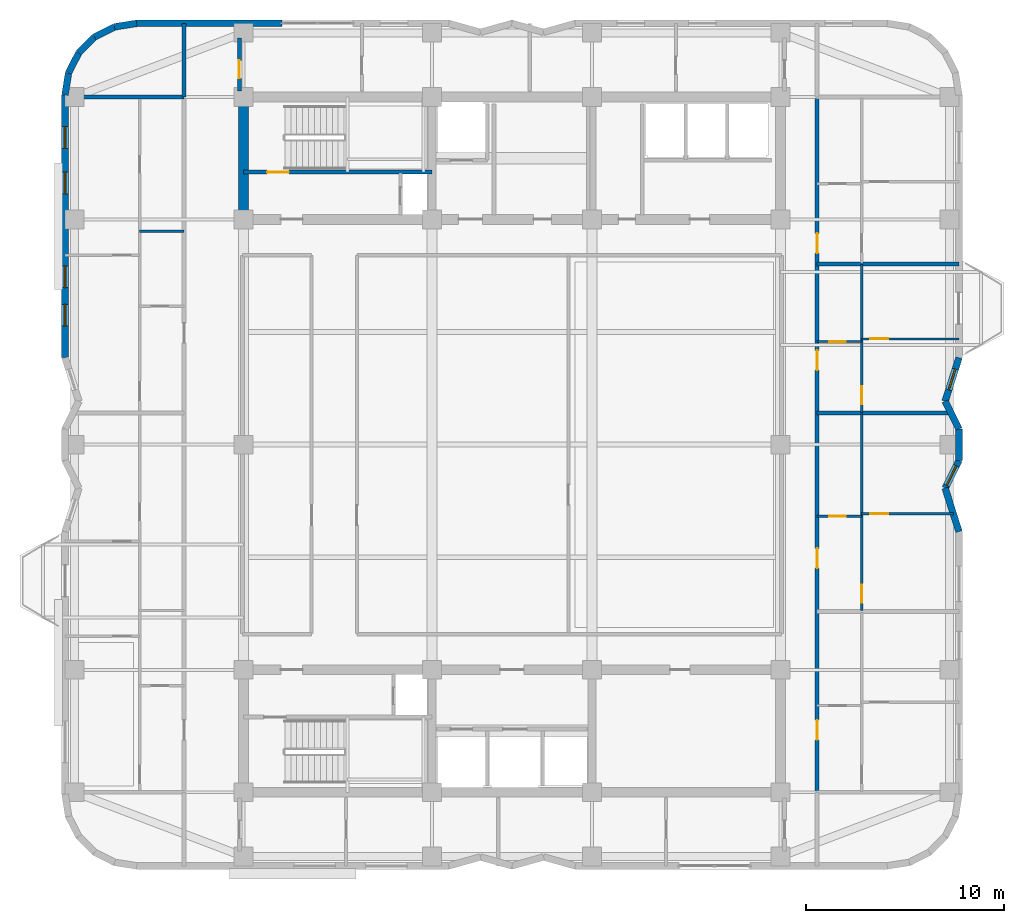
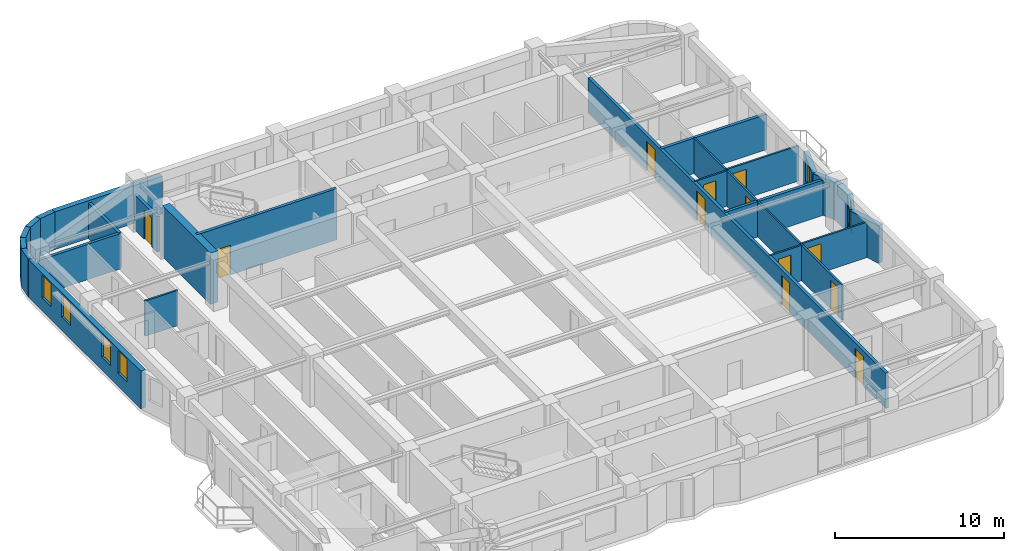
# One storey, part 7 of 12: 27 walls, 12 doors, 6 windows, 18 openings.
"""IFC4 building model written with IfcOpenShell, lengths in metres."""

import ifcopenshell
import ifcopenshell.guid

model = None  # the IFC model being written
_history = None  # IfcOwnerHistory: only IFC2X3 demands one
_inside = {}  # id of a spatial element -> (the spatial element, [elements in it])
_under = {}  # id of a project, library or spatial element -> (it, [spatial elements below it])
_declared = {}  # id of a project -> (the project, [libraries it declares])
_typed = {}  # id of a type object -> (the type object, [elements of that type])
_made_of = {}  # id of a material, layer set ... -> (it, [elements and type objects made of it])


def new_model(schema):
    """Start an empty IFC model of exactly this schema.

    Asked for "IFC4X3", IfcOpenShell would pick the latest addendum, in which some entities
    have other attributes; the version numbers below select the first issue.
    IFC2X3 requires an IfcOwnerHistory on every rooted entity: one is made here for all.
    """
    global model, _history
    if schema == "IFC4X3":
        model = ifcopenshell.file(schema_version=(4, 3, 0, 0))
    else:
        model = ifcopenshell.file(schema=schema)
    _inside.clear()
    _under.clear()
    _declared.clear()
    _typed.clear()
    _made_of.clear()
    _history = None
    if model.schema == "IFC2X3":
        org = make("IfcOrganization", Name="unknown")
        user = make(
            "IfcPersonAndOrganization",
            ThePerson=make("IfcPerson", FamilyName="unknown"),
            TheOrganization=org,
        )
        app = make(
            "IfcApplication",
            ApplicationDeveloper=org,
            Version="unknown",
            ApplicationFullName="unknown",
            ApplicationIdentifier="unknown",
        )
        _history = make(
            "IfcOwnerHistory",
            OwningUser=user,
            OwningApplication=app,
            ChangeAction="ADDED",
            CreationDate=0,
        )
    return model


def make(cls, **values):
    """One entity of the class cls with the attributes given. An attribute that is None is left unset."""
    return model.create_entity(
        cls, **{name: value for name, value in values.items() if value is not None}
    )


def rooted(cls, **values):
    """An entity with a GlobalId (a new one), such as an element, a storey or a relation."""
    return make(cls, GlobalId=ifcopenshell.guid.new(), OwnerHistory=_history, **values)


def si_unit(unit_type, name, prefix=None):
    """IfcSIUnit, for example si_unit("LENGTHUNIT", "METRE", prefix="MILLI")."""
    return make("IfcSIUnit", UnitType=unit_type, Prefix=prefix, Name=name)


def assignment(units):
    """IfcUnitAssignment: the units of a project."""
    return None if units is None else make("IfcUnitAssignment", Units=units)


def point(xyz):
    """IfcCartesianPoint."""
    return None if xyz is None else make("IfcCartesianPoint", Coordinates=xyz)


def direction(xyz):
    """IfcDirection."""
    return None if xyz is None else make("IfcDirection", DirectionRatios=xyz)


def frame(location, z_axis=None, x_axis=None):
    """IfcAxis2Placement3D, a coordinate frame: its origin and axes. An axis left out is left unset."""
    return make(
        "IfcAxis2Placement3D",
        Location=point(location),
        Axis=direction(z_axis),
        RefDirection=direction(x_axis),
    )


def frame_2d(location, x_axis=None):
    """IfcAxis2Placement2D, a coordinate frame in the plane: its origin and x axis."""
    return make(
        "IfcAxis2Placement2D", Location=point(location), RefDirection=direction(x_axis)
    )


def origin():
    """The frame at (0, 0, 0) with its axes left unset."""
    return frame((0.0, 0.0, 0.0))


def place(relative_to, where):
    """IfcLocalPlacement: puts the frame where relative to a parent placement (None: the world)."""
    return make(
        "IfcLocalPlacement", PlacementRelTo=relative_to, RelativePlacement=where
    )


def context(
    kind, dimensions, precision=None, world=None, true_north=None, identifier=None
):
    """IfcGeometricRepresentationContext, for example the 3D "Model" context."""
    return make(
        "IfcGeometricRepresentationContext",
        ContextIdentifier=identifier,
        ContextType=kind,
        CoordinateSpaceDimension=dimensions,
        Precision=precision,
        WorldCoordinateSystem=world,
        TrueNorth=true_north,
    )


def subcontext(parent, identifier, kind, view, scale=None):
    """IfcGeometricRepresentationSubContext, for example "Body" below "Model"."""
    return make(
        "IfcGeometricRepresentationSubContext",
        ContextIdentifier=identifier,
        ContextType=kind,
        ParentContext=parent,
        TargetScale=scale,
        TargetView=view,
    )


def project(units=None, contexts=None):
    """IfcProject with its units and contexts."""
    return rooted(
        "IfcProject",
        Name="project",
        RepresentationContexts=contexts,
        UnitsInContext=assignment(units),
    )


def spatial(cls, under=None, at=None, **own):
    """A site, building, storey or space (cls), placed at a placement, below another one or the project."""
    s = rooted(cls, ObjectPlacement=at, **own)
    if under is not None:
        _under.setdefault(under.id(), (under, []))[1].append(s)
    return s


def profile(cls, at=None, kind="AREA", **sizes):
    """A parametric profile (cls). Its sizes go by their IFC names, for example OverallWidth=200.0."""
    return make(cls, ProfileType=kind, Position=at, **sizes)


def rectangle(**sizes):
    """IfcRectangleProfileDef."""
    return profile("IfcRectangleProfileDef", **sizes)


def extrude(swept, where, along, depth):
    """IfcExtrudedAreaSolid: the profile swept, set in the frame where, extruded along a direction by depth."""
    return make(
        "IfcExtrudedAreaSolid",
        SweptArea=swept,
        Position=where,
        ExtrudedDirection=direction(along),
        Depth=depth,
    )


def shape(context_of_items, identifier, shape_type, items):
    """IfcShapeRepresentation: the items that make up one representation, for example the "Body"."""
    return make(
        "IfcShapeRepresentation",
        ContextOfItems=context_of_items,
        RepresentationIdentifier=identifier,
        RepresentationType=shape_type,
        Items=items,
    )


def material(Name=None, Category=None):
    """IfcMaterial."""
    return make("IfcMaterial", Name=Name, Category=Category)


def layer(
    of_material, thickness, ventilated=None, Name=None, Category=None, Priority=None
):
    """IfcMaterialLayer: one layer of a wall or slab, of a material (None: an air gap)."""
    return make(
        "IfcMaterialLayer",
        Material=of_material,
        LayerThickness=thickness,
        IsVentilated=ventilated,
        Name=Name,
        Category=Category,
        Priority=Priority,
    )


def layer_set(layers, Name=None):
    """IfcMaterialLayerSet."""
    return make("IfcMaterialLayerSet", MaterialLayers=layers, LayerSetName=Name)


def made_of(thing, what):
    """Note that an element or type object is made of a material, layer set ...; save() writes the relation."""
    if what is not None:
        _made_of.setdefault(what.id(), (what, []))[1].append(thing)
    return thing


def type_object(cls, material=None, **own):
    """A type object (cls), such as IfcWallType, which elements share."""
    return made_of(rooted(cls, **own), material)


def element(
    cls,
    number,
    at=None,
    inside=None,
    cuts=None,
    type_object=None,
    material=None,
    context=None,
    identifier="Body",
    shape_type=None,
    held_by="IfcProductDefinitionShape",
    body=None,
    shapes=None,
    **own,
):
    """One element of the class cls, such as IfcWall. Its Tag is "e" and its number.

    at: its placement. inside: the storey or other place that contains it. cuts: it is an
    opening in that element (IfcRelVoidsElement). A single representation is given by context,
    identifier, shape_type and body (its items); several are given by shapes. held_by: the class
    of the entity that holds the representations. save() writes the other relations.
    """
    e = rooted(cls, Tag="e%d" % number, ObjectPlacement=at, **own)
    if body is not None:
        shapes = [shape(context, identifier, shape_type, body)]
    if shapes is not None:
        e.Representation = make(held_by, Representations=shapes)
    if inside is not None:
        _inside.setdefault(inside.id(), (inside, []))[1].append(e)
    if cuts is not None:
        rooted(
            "IfcRelVoidsElement", RelatingBuildingElement=cuts, RelatedOpeningElement=e
        )
    if type_object is not None:
        _typed.setdefault(type_object.id(), (type_object, []))[1].append(e)
    return made_of(e, material)


def fill(opening, filler):
    """IfcRelFillsElement: the door or window that sits in an opening."""
    return rooted(
        "IfcRelFillsElement",
        RelatingOpeningElement=opening,
        RelatedBuildingElement=filler,
    )


def aggregate(whole, parts):
    """IfcRelAggregates: a whole, such as a stair, and the parts it consists of."""
    return rooted("IfcRelAggregates", RelatingObject=whole, RelatedObjects=parts)


def save(model, path):
    """Write the relations noted so far, then the file.

    IfcRelAggregates (storeys below a building ...), IfcRelContainedInSpatialStructure (elements
    in a storey), IfcRelDefinesByType, IfcRelAssociatesMaterial and IfcRelDeclares: one each for
    every whole, place, type object, material and project.
    """
    for whole, parts in _under.values():
        aggregate(whole, parts)
    for where, things in _inside.values():
        rooted(
            "IfcRelContainedInSpatialStructure",
            RelatedElements=things,
            RelatingStructure=where,
        )
    for kind, things in _typed.values():
        rooted("IfcRelDefinesByType", RelatedObjects=things, RelatingType=kind)
    for what, things in _made_of.values():
        rooted("IfcRelAssociatesMaterial", RelatedObjects=things, RelatingMaterial=what)
    for by, libraries in _declared.values():
        rooted("IfcRelDeclares", RelatingContext=by, RelatedDefinitions=libraries)
    model.write(path)


model = new_model("IFC4")

# Units and contexts
model_context = context("Model", 3, precision=1e-05, world=origin(), true_north=direction((0.0, 1.0)))
body_context = subcontext(model_context, "Body", "Model", "MODEL_VIEW")
ifc_project = project(units=[si_unit("LENGTHUNIT", "METRE"), si_unit("AREAUNIT", "SQUARE_METRE"), si_unit("VOLUMEUNIT", "CUBIC_METRE"), si_unit("PLANEANGLEUNIT", "RADIAN"), si_unit("MASSUNIT", "GRAM", prefix="KILO")], contexts=[model_context])

# Site, building, storey
site_placement = place(None, origin())
site = spatial("IfcSite", under=ifc_project, at=site_placement, CompositionType="ELEMENT")
building_placement = place(site_placement, origin())
building = spatial("IfcBuilding", under=site, at=building_placement, Name="Svetorya Sky Lyceum", CompositionType="ELEMENT")
storey_placement = place(building_placement, frame((0.0, 0.0, 177.39990234375)))
storey = spatial("IfcBuildingStorey", under=building, at=storey_placement, Name="L44", CompositionType="ELEMENT", Elevation=177.39990234375)

# Walls
ifc_material_1 = material(Name="Concrete C50/60", Category="concrete")
ifc_layer_1 = layer(ifc_material_1, 0.5)
ifc_layer_set_1 = layer_set([ifc_layer_1], Name="Concrete C50/60")
wall_type_1 = type_object("IfcWallType", Name="WL-CORE-500", PredefinedType="SHEAR", material=ifc_layer_set_1)
wall_1_placement = place(storey_placement, frame((25.60009765625, 39.85009765625, 0.0), z_axis=(0.0, 0.0, 1.0), x_axis=(0.0, 1.0, 0.0)))
element("IfcWall", 1, at=wall_1_placement, inside=storey, type_object=wall_type_1, Name="L44 NC West Core Shear Wall", PredefinedType="SHEAR", context=body_context, shape_type="SweptSolid", body=[
    extrude(rectangle(XDim=5.699951171875, YDim=0.5, at=frame_2d((2.85009765625, 0.0))), origin(), (0.0, 0.0, 1.0), 3.7001953125),
])
ifc_material_2 = material(Name="Putilovo limestone rainscreen on autoclaved cellular masonry", Category="masonry")
ifc_layer_2 = layer(ifc_material_2, 0.340087890625)
ifc_layer_set_2 = layer_set([ifc_layer_2], Name="Putilovo limestone rainscreen on autoclaved cellular masonry")
wall_type_2 = type_object("IfcWallType", Name="WL-EXT-340", PredefinedType="SOLIDWALL", material=ifc_layer_set_2)
wall_2_placement = place(storey_placement, frame((61.830078125, 23.800048828125, 0.0), z_axis=(0.0, 0.0, 1.0), x_axis=(-0.303286588318, 0.95289938889, 0.0)))
element("IfcWall", 2, at=wall_2_placement, inside=storey, type_object=wall_type_2, Name="L44 Limestone Exterior Wall 18M", PredefinedType="SOLIDWALL", context=body_context, shape_type="SweptSolid", body=[
    extrude(rectangle(XDim=2.30859375, YDim=0.340087890625, at=frame_2d((1.154296875, 0.0))), origin(), (0.0, 0.0, 1.0), 2.72021484375),
])

# Wall, opening, window
wall_3_placement = place(storey_placement, frame((61.1298828125, 26.0, 0.0), z_axis=(0.0, 0.0, 1.0), x_axis=(0.447338371726, 0.894364792007, 0.0)))
wall_3 = element("IfcWall", 3, at=wall_3_placement, inside=storey, type_object=wall_type_2, Name="L44 Limestone Exterior Wall 19M", PredefinedType="SOLIDWALL", context=body_context, shape_type="SweptSolid", body=[
    extrude(rectangle(XDim=1.565185546875, YDim=0.340087890625, at=frame_2d((0.78271484375, 0.0))), origin(), (0.0, 0.0, 1.0), 2.72021484375),
])
opening_1_placement = place(wall_3_placement, frame((0.159912109375, 0.0, 0.909912109375)))
opening_1 = element("IfcOpeningElement", 4, at=opening_1_placement, cuts=wall_3, Name="Opening W-R3", PredefinedType="OPENING", context=body_context, shape_type="SweptSolid", body=[
    extrude(rectangle(XDim=1.10009765625, YDim=1.64990234375, at=frame_2d((0.550048828125, 0.824951171875))), frame((0.0, 0.179931640625, 0.0), z_axis=(0.0, -1.0, 0.0), x_axis=(1.0, 0.0, 0.0)), (0.0, 0.0, 1.0), 0.360107421875),
])
ifc_material_3 = material(Name="Thermally broken aluminium frame with triple low-E glazing", Category="aluminium")
window_type = type_object("IfcWindowType", Name="WN-RES-110", PartitioningType="SINGLE_PANEL", PredefinedType="WINDOW", material=ifc_material_3)
window_1_placement = place(opening_1_placement, origin())
window_1 = element("IfcWindow", 5, at=window_1_placement, inside=storey, type_object=window_type, Name="L44 Facade Window W-R3.19M.1", OverallHeight=1.64990234375, OverallWidth=1.10009765625, PartitioningType="SINGLE_PANEL", PredefinedType="WINDOW", context=body_context, shape_type="SweptSolid", body=[
    extrude(rectangle(XDim=1.10009765625, YDim=1.64990234375, at=frame_2d((0.550048828125, 0.824951171875))), frame((0.0, 0.030029296875, 0.0), z_axis=(0.0, -1.0, 0.0), x_axis=(1.0, 0.0, 0.0)), (0.0, 0.0, 1.0), 0.06005859375),
])
fill(opening_1, window_1)

# Walls
wall_4_placement = place(storey_placement, frame((61.830078125, 27.39990234375, 0.0), z_axis=(0.0, 0.0, 1.0), x_axis=(0.0, 1.0, 0.0)))
element("IfcWall", 6, at=wall_4_placement, inside=storey, type_object=wall_type_2, Name="L44 Limestone Exterior Wall 20M", PredefinedType="SOLIDWALL", context=body_context, shape_type="SweptSolid", body=[
    extrude(rectangle(XDim=1.60009765625, YDim=0.340087890625, at=frame_2d((0.800048828125, 0.0))), origin(), (0.0, 0.0, 1.0), 2.72021484375),
])
wall_5_placement = place(storey_placement, frame((61.830078125, 29.0, 0.0), z_axis=(0.0, 0.0, 1.0), x_axis=(-0.447338371726, 0.894364792007, 0.0)))
element("IfcWall", 7, at=wall_5_placement, inside=storey, type_object=wall_type_2, Name="L44 Limestone Exterior Wall 21M", PredefinedType="SOLIDWALL", context=body_context, shape_type="SweptSolid", body=[
    extrude(rectangle(XDim=1.565185546875, YDim=0.340087890625, at=frame_2d((0.78271484375, 0.0))), origin(), (0.0, 0.0, 1.0), 2.72021484375),
])

# Wall, opening, window
wall_6_placement = place(storey_placement, frame((61.1298828125, 30.39990234375, 0.0), z_axis=(0.0, 0.0, 1.0), x_axis=(0.303256029766, 0.952909114454, 0.0)))
wall_6 = element("IfcWall", 8, at=wall_6_placement, inside=storey, type_object=wall_type_2, Name="L44 Limestone Exterior Wall 22M", PredefinedType="SOLIDWALL", context=body_context, shape_type="SweptSolid", body=[
    extrude(rectangle(XDim=2.308837890625, YDim=0.340087890625, at=frame_2d((1.154296875, 0.0))), origin(), (0.0, 0.0, 1.0), 2.72021484375),
])
opening_2_placement = place(wall_6_placement, frame((0.604248046875, 0.0, 0.909912109375)))
opening_2 = element("IfcOpeningElement", 9, at=opening_2_placement, cuts=wall_6, Name="Opening W-R3", PredefinedType="OPENING", context=body_context, shape_type="SweptSolid", body=[
    extrude(rectangle(XDim=1.10009765625, YDim=1.64990234375, at=frame_2d((0.550048828125, 0.824951171875))), frame((0.0, 0.179931640625, 0.0), z_axis=(0.0, -1.0, 0.0), x_axis=(1.0, 0.0, 0.0)), (0.0, 0.0, 1.0), 0.360107421875),
])
window_2_placement = place(opening_2_placement, origin())
window_2 = element("IfcWindow", 10, at=window_2_placement, inside=storey, type_object=window_type, Name="L44 Facade Window W-R3.22M.1", OverallHeight=1.64990234375, OverallWidth=1.10009765625, PartitioningType="SINGLE_PANEL", PredefinedType="WINDOW", context=body_context, shape_type="SweptSolid", body=[
    extrude(rectangle(XDim=1.10009765625, YDim=1.64990234375, at=frame_2d((0.550048828125, 0.824951171875))), frame((0.0, 0.030029296875, 0.0), z_axis=(0.0, -1.0, 0.0), x_axis=(1.0, 0.0, 0.0)), (0.0, 0.0, 1.0), 0.06005859375),
])
fill(opening_2, window_2)

# Walls
wall_7_placement = place(storey_placement, frame((27.550048828125, 49.530029296875, 0.0), z_axis=(0.0, 0.0, 1.0), x_axis=(-1.0, 0.0, 0.0)))
element("IfcWall", 11, at=wall_7_placement, inside=storey, type_object=wall_type_2, Name="L44 Limestone Exterior Wall 34B", PredefinedType="SOLIDWALL", context=body_context, shape_type="SweptSolid", body=[
    extrude(rectangle(XDim=7.35009765625, YDim=0.340087890625, at=frame_2d((3.675048828125, 0.0))), origin(), (0.0, 0.0, 1.0), 2.72021484375),
])
wall_8_placement = place(storey_placement, frame((20.199951171875, 49.530029296875, 0.0), z_axis=(0.0, 0.0, 1.0), x_axis=(-0.987675651954, -0.156514556949, 0.0)))
element("IfcWall", 12, at=wall_8_placement, inside=storey, type_object=wall_type_2, Name="L44 Limestone Exterior Wall 35M", PredefinedType="SOLIDWALL", context=body_context, shape_type="SweptSolid", body=[
    extrude(rectangle(XDim=1.135498046875, YDim=0.340087890625, at=frame_2d((0.56787109375, 0.0))), origin(), (0.0, 0.0, 1.0), 2.72021484375),
])
for number, where, z_axis, x_axis, name in (
    (13, (19.078369140625, 49.352294921875, 0.0), (0.0, 0.0, 1.0), (-0.891005044957, -0.453993402883, 0.0), "L44 Limestone Exterior Wall 36M"),
    (14, (18.06640625, 48.836669921875, 0.0), (0.0, 0.0, 1.0), (-0.707214252388, -0.706999293649, 0.0), "L44 Limestone Exterior Wall 37M"),
    (15, (17.26318359375, 48.03369140625, 0.0), (0.0, 0.0, 1.0), (-0.453822724105, -0.891091990249, 0.0), "L44 Limestone Exterior Wall 38M"),
    (16, (16.747802734375, 47.021728515625, 0.0), (0.0, 0.0, 1.0), (-0.156481329164, -0.987680916907, 0.0), "L44 Limestone Exterior Wall 39M"),
):
    element("IfcWall", number, at=place(storey_placement, frame(where, z_axis=z_axis, x_axis=x_axis)), inside=storey, type_object=wall_type_2, Name=name, PredefinedType="SOLIDWALL", context=body_context, shape_type="SweptSolid", body=[
        extrude(rectangle(XDim=1.1357421875, YDim=0.340087890625, at=frame_2d((0.56787109375, 0.0))), origin(), (0.0, 0.0, 1.0), 2.72021484375),
    ])

# Wall, openings, windows
wall_9_placement = place(storey_placement, frame((16.570068359375, 45.89990234375, 0.0), z_axis=(0.0, 0.0, 1.0), x_axis=(0.0, -1.0, 0.0)))
wall_9 = element("IfcWall", 17, at=wall_9_placement, inside=storey, type_object=wall_type_2, Name="L44 Limestone Exterior Wall 40M", PredefinedType="SOLIDWALL", context=body_context, shape_type="SweptSolid", body=[
    extrude(rectangle(XDim=13.2998046875, YDim=0.340087890625, at=frame_2d((6.64990234375, 0.0))), origin(), (0.0, 0.0, 1.0), 2.72021484375),
])
opening_3_placement = place(wall_9_placement, frame((1.60009765625, 0.0, 0.949951171875)))
opening_3 = element("IfcOpeningElement", 18, at=opening_3_placement, cuts=wall_9, Name="Opening W-R3", PredefinedType="OPENING", context=body_context, shape_type="SweptSolid", body=[
    extrude(rectangle(XDim=1.10009765625, YDim=1.64990234375, at=frame_2d((0.550048828125, 0.824951171875))), frame((0.0, 0.179931640625, 0.0), z_axis=(0.0, -1.0, 0.0), x_axis=(1.0, 0.0, 0.0)), (0.0, 0.0, 1.0), 0.360107421875),
])
opening_4_placement = place(wall_9_placement, frame((3.89990234375, 0.0, 0.949951171875)))
opening_4 = element("IfcOpeningElement", 19, at=opening_4_placement, cuts=wall_9, Name="Opening W-R3", PredefinedType="OPENING", context=body_context, shape_type="SweptSolid", body=[
    extrude(rectangle(XDim=1.10009765625, YDim=1.64990234375, at=frame_2d((0.550048828125, 0.824951171875))), frame((0.0, 0.179931640625, 0.0), z_axis=(0.0, -1.0, 0.0), x_axis=(1.0, 0.0, 0.0)), (0.0, 0.0, 1.0), 0.360107421875),
])
opening_5_placement = place(wall_9_placement, frame((8.64990234375, 0.0, 0.949951171875)))
opening_5 = element("IfcOpeningElement", 20, at=opening_5_placement, cuts=wall_9, Name="Opening W-R3", PredefinedType="OPENING", context=body_context, shape_type="SweptSolid", body=[
    extrude(rectangle(XDim=1.10009765625, YDim=1.64990234375, at=frame_2d((0.550048828125, 0.824951171875))), frame((0.0, 0.179931640625, 0.0), z_axis=(0.0, -1.0, 0.0), x_axis=(1.0, 0.0, 0.0)), (0.0, 0.0, 1.0), 0.360107421875),
])
opening_6_placement = place(wall_9_placement, frame((10.60009765625, 0.0, 0.949951171875)))
opening_6 = element("IfcOpeningElement", 21, at=opening_6_placement, cuts=wall_9, Name="Opening W-R3", PredefinedType="OPENING", context=body_context, shape_type="SweptSolid", body=[
    extrude(rectangle(XDim=1.10009765625, YDim=1.64990234375, at=frame_2d((0.550048828125, 0.824951171875))), frame((0.0, 0.179931640625, 0.0), z_axis=(0.0, -1.0, 0.0), x_axis=(1.0, 0.0, 0.0)), (0.0, 0.0, 1.0), 0.360107421875),
])
window_3_placement = place(opening_3_placement, origin())
window_3 = element("IfcWindow", 22, at=window_3_placement, inside=storey, type_object=window_type, Name="L44 Facade Window W-R3.40M.1", OverallHeight=1.64990234375, OverallWidth=1.10009765625, PartitioningType="SINGLE_PANEL", PredefinedType="WINDOW", context=body_context, shape_type="SweptSolid", body=[
    extrude(rectangle(XDim=1.10009765625, YDim=1.64990234375, at=frame_2d((0.550048828125, 0.824951171875))), frame((0.0, 0.030029296875, 0.0), z_axis=(0.0, -1.0, 0.0), x_axis=(1.0, 0.0, 0.0)), (0.0, 0.0, 1.0), 0.06005859375),
])
fill(opening_3, window_3)
window_4_placement = place(opening_4_placement, origin())
window_4 = element("IfcWindow", 23, at=window_4_placement, inside=storey, type_object=window_type, Name="L44 Facade Window W-R3.40M.2", OverallHeight=1.64990234375, OverallWidth=1.10009765625, PartitioningType="SINGLE_PANEL", PredefinedType="WINDOW", context=body_context, shape_type="SweptSolid", body=[
    extrude(rectangle(XDim=1.10009765625, YDim=1.64990234375, at=frame_2d((0.550048828125, 0.824951171875))), frame((0.0, 0.030029296875, 0.0), z_axis=(0.0, -1.0, 0.0), x_axis=(1.0, 0.0, 0.0)), (0.0, 0.0, 1.0), 0.06005859375),
])
fill(opening_4, window_4)
window_5_placement = place(opening_5_placement, origin())
window_5 = element("IfcWindow", 24, at=window_5_placement, inside=storey, type_object=window_type, Name="L44 Facade Window W-R3.40M.3", OverallHeight=1.64990234375, OverallWidth=1.10009765625, PartitioningType="SINGLE_PANEL", PredefinedType="WINDOW", context=body_context, shape_type="SweptSolid", body=[
    extrude(rectangle(XDim=1.10009765625, YDim=1.64990234375, at=frame_2d((0.550048828125, 0.824951171875))), frame((0.0, 0.030029296875, 0.0), z_axis=(0.0, -1.0, 0.0), x_axis=(1.0, 0.0, 0.0)), (0.0, 0.0, 1.0), 0.06005859375),
])
fill(opening_5, window_5)
window_6_placement = place(opening_6_placement, origin())
window_6 = element("IfcWindow", 25, at=window_6_placement, inside=storey, type_object=window_type, Name="L44 Facade Window W-R3.40M.4", OverallHeight=1.64990234375, OverallWidth=1.10009765625, PartitioningType="SINGLE_PANEL", PredefinedType="WINDOW", context=body_context, shape_type="SweptSolid", body=[
    extrude(rectangle(XDim=1.10009765625, YDim=1.64990234375, at=frame_2d((0.550048828125, 0.824951171875))), frame((0.0, 0.030029296875, 0.0), z_axis=(0.0, -1.0, 0.0), x_axis=(1.0, 0.0, 0.0)), (0.0, 0.0, 1.0), 0.06005859375),
])
fill(opening_6, window_6)

# Wall
ifc_material_4 = material(Name="Twin-stud galvanized framing with double fireboard", Category="gypsum")
ifc_layer_3 = layer(ifc_material_4, 0.1201171875)
ifc_layer_set_3 = layer_set([ifc_layer_3], Name="Twin-stud galvanized framing with double fireboard")
wall_type_3 = type_object("IfcWallType", Name="WL-PART-120", PredefinedType="PARTITIONING", material=ifc_layer_set_3)
wall_10_placement = place(storey_placement, frame((20.35009765625, 39.0, 0.0), z_axis=(0.0, 0.0, 1.0), x_axis=(1.0, 0.0, 0.0)))
element("IfcWall", 26, at=wall_10_placement, inside=storey, type_object=wall_type_3, Name="L44 Interior Partition W2-WH2", PredefinedType="PARTITIONING", context=body_context, shape_type="SweptSolid", body=[
    extrude(rectangle(XDim=2.25, YDim=0.1201171875, at=frame_2d((1.125, 0.0))), origin(), (0.0, 0.0, 1.0), 2.550048828125),
])

# Wall, opening, door
wall_11_placement = place(storey_placement, frame((54.64990234375, 24.572021484375, 0.0), z_axis=(0.0, 0.0, 1.0), x_axis=(1.0, 0.0, 0.0)))
wall_11 = element("IfcWall", 27, at=wall_11_placement, inside=storey, type_object=wall_type_3, Name="L44 Interior Partition E2-WH1", PredefinedType="PARTITIONING", context=body_context, shape_type="SweptSolid", body=[
    extrude(rectangle(XDim=2.25, YDim=0.1201171875, at=frame_2d((1.125, 0.0))), origin(), (0.0, 0.0, 1.0), 2.550048828125),
])
opening_7_placement = place(wall_11_placement, frame((0.60009765625, 0.0, 0.0)))
opening_7 = element("IfcOpeningElement", 28, at=opening_7_placement, cuts=wall_11, Name="Opening D-BT1", PredefinedType="OPENING", context=body_context, shape_type="SweptSolid", body=[
    extrude(rectangle(XDim=0.85009765625, YDim=2.10009765625, at=frame_2d((0.425048828125, 1.050048828125))), frame((0.0, 0.070068359375, 0.0), z_axis=(0.0, -1.0, 0.0), x_axis=(1.0, 0.0, 0.0)), (0.0, 0.0, 1.0), 0.14013671875),
])
ifc_material_5 = material(Name="Moisture-resistant laminate bathroom door")
door_type_1 = type_object("IfcDoorType", Name="DR-WET-850", OperationType="SINGLE_SWING_LEFT", PredefinedType="DOOR", material=ifc_material_5)
door_1_placement = place(opening_7_placement, origin())
door_1 = element("IfcDoor", 29, at=door_1_placement, inside=storey, type_object=door_type_1, Name="Apartment E2 Bathroom Door", OperationType="SINGLE_SWING_LEFT", OverallHeight=2.10009765625, OverallWidth=0.85009765625, PredefinedType="DOOR", context=body_context, shape_type="SweptSolid", body=[
    extrude(rectangle(XDim=0.85009765625, YDim=2.10009765625, at=frame_2d((0.425048828125, 1.050048828125))), frame((0.0, 0.02490234375, 0.0), z_axis=(0.0, -1.0, 0.0), x_axis=(1.0, 0.0, 0.0)), (0.0, 0.0, 1.0), 0.050048828125),
])
fill(opening_7, door_1)

wall_12_placement = place(storey_placement, frame((56.89990234375, 24.701904296875, 0.0), z_axis=(0.0, 0.0, 1.0), x_axis=(1.0, 0.0, 0.0)))
wall_12 = element("IfcWall", 30, at=wall_12_placement, inside=storey, type_object=wall_type_3, Name="L44 Interior Partition E2-WL1", PredefinedType="PARTITIONING", context=body_context, shape_type="SweptSolid", body=[
    extrude(rectangle(XDim=4.64306640625, YDim=0.1201171875, at=frame_2d((2.321533203125, 0.0))), origin(), (0.0, 0.0, 1.0), 2.550048828125),
])
opening_8_placement = place(wall_12_placement, frame((0.449951171875, 0.0, 0.0)))
opening_8 = element("IfcOpeningElement", 31, at=opening_8_placement, cuts=wall_12, Name="Opening D-RM1", PredefinedType="OPENING", context=body_context, shape_type="SweptSolid", body=[
    extrude(rectangle(XDim=0.89990234375, YDim=2.10009765625, at=frame_2d((0.449951171875, 1.050048828125))), frame((0.0, 0.070068359375, 0.0), z_axis=(0.0, -1.0, 0.0), x_axis=(1.0, 0.0, 0.0)), (0.0, 0.0, 1.0), 0.14013671875),
])
ifc_material_6 = material(Name="Lacquered birch veneer internal door")
door_type_2 = type_object("IfcDoorType", Name="DR-INT-900", OperationType="SINGLE_SWING_LEFT", PredefinedType="DOOR", material=ifc_material_6)
door_2_placement = place(opening_8_placement, origin())
door_2 = element("IfcDoor", 32, at=door_2_placement, inside=storey, type_object=door_type_2, Name="Apartment E2 Bedroom 1 Door", OperationType="SINGLE_SWING_LEFT", OverallHeight=2.10009765625, OverallWidth=0.89990234375, PredefinedType="DOOR", context=body_context, shape_type="SweptSolid", body=[
    extrude(rectangle(XDim=0.89990234375, YDim=2.10009765625, at=frame_2d((0.449951171875, 1.050048828125))), frame((0.0, 0.02490234375, 0.0), z_axis=(0.0, -1.0, 0.0), x_axis=(1.0, 0.0, 0.0)), (0.0, 0.0, 1.0), 0.050048828125),
])
fill(opening_8, door_2)

wall_13_placement = place(storey_placement, frame((56.89990234375, 19.7919921875, 0.0), z_axis=(0.0, 0.0, 1.0), x_axis=(0.0, 1.0, 0.0)))
wall_13 = element("IfcWall", 33, at=wall_13_placement, inside=storey, type_object=wall_type_3, Name="L44 Interior Partition E2-WV", PredefinedType="PARTITIONING", context=body_context, shape_type="SweptSolid", body=[
    extrude(rectangle(XDim=9.968017578125, YDim=0.1201171875, at=frame_2d((4.98388671875, 0.0))), origin(), (0.0, 0.0, 1.0), 2.550048828125),
])
opening_9_placement = place(wall_13_placement, frame((0.409912109375, 0.0, 0.0)))
opening_9 = element("IfcOpeningElement", 34, at=opening_9_placement, cuts=wall_13, Name="Opening D-RM1", PredefinedType="OPENING", context=body_context, shape_type="SweptSolid", body=[
    extrude(rectangle(XDim=0.89990234375, YDim=2.10009765625, at=frame_2d((0.449951171875, 1.050048828125))), frame((0.0, 0.070068359375, 0.0), z_axis=(0.0, -1.0, 0.0), x_axis=(1.0, 0.0, 0.0)), (0.0, 0.0, 1.0), 0.14013671875),
])
door_3_placement = place(opening_9_placement, origin())
door_3 = element("IfcDoor", 35, at=door_3_placement, inside=storey, type_object=door_type_2, Name="Apartment E2 Living Door", OperationType="SINGLE_SWING_RIGHT", OverallHeight=2.10009765625, OverallWidth=0.89990234375, PredefinedType="DOOR", context=body_context, shape_type="SweptSolid", body=[
    extrude(rectangle(XDim=0.89990234375, YDim=2.10009765625, at=frame_2d((0.449951171875, 1.050048828125))), frame((0.0, 0.02490234375, 0.0), z_axis=(0.0, -1.0, 0.0), x_axis=(1.0, 0.0, 0.0)), (0.0, 0.0, 1.0), 0.050048828125),
])
fill(opening_9, door_3)

wall_14_placement = place(storey_placement, frame((54.64990234375, 33.419921875, 0.0), z_axis=(0.0, 0.0, 1.0), x_axis=(1.0, 0.0, 0.0)))
wall_14 = element("IfcWall", 36, at=wall_14_placement, inside=storey, type_object=wall_type_3, Name="L44 Interior Partition E3-WH1", PredefinedType="PARTITIONING", context=body_context, shape_type="SweptSolid", body=[
    extrude(rectangle(XDim=2.25, YDim=0.1201171875, at=frame_2d((1.125, 0.0))), origin(), (0.0, 0.0, 1.0), 2.550048828125),
])
opening_10_placement = place(wall_14_placement, frame((0.60009765625, 0.0, 0.0)))
opening_10 = element("IfcOpeningElement", 37, at=opening_10_placement, cuts=wall_14, Name="Opening D-BT1", PredefinedType="OPENING", context=body_context, shape_type="SweptSolid", body=[
    extrude(rectangle(XDim=0.85009765625, YDim=2.10009765625, at=frame_2d((0.425048828125, 1.050048828125))), frame((0.0, 0.070068359375, 0.0), z_axis=(0.0, -1.0, 0.0), x_axis=(1.0, 0.0, 0.0)), (0.0, 0.0, 1.0), 0.14013671875),
])
door_4_placement = place(opening_10_placement, origin())
door_4 = element("IfcDoor", 38, at=door_4_placement, inside=storey, type_object=door_type_1, Name="Apartment E3 Bathroom Door", OperationType="SINGLE_SWING_RIGHT", OverallHeight=2.10009765625, OverallWidth=0.85009765625, PredefinedType="DOOR", context=body_context, shape_type="SweptSolid", body=[
    extrude(rectangle(XDim=0.85009765625, YDim=2.10009765625, at=frame_2d((0.425048828125, 1.050048828125))), frame((0.0, 0.02490234375, 0.0), z_axis=(0.0, -1.0, 0.0), x_axis=(1.0, 0.0, 0.0)), (0.0, 0.0, 1.0), 0.050048828125),
])
fill(opening_10, door_4)

wall_15_placement = place(storey_placement, frame((56.89990234375, 33.550048828125, 0.0), z_axis=(0.0, 0.0, 1.0), x_axis=(1.0, 0.0, 0.0)))
wall_15 = element("IfcWall", 39, at=wall_15_placement, inside=storey, type_object=wall_type_3, Name="L44 Interior Partition E3-WL1", PredefinedType="PARTITIONING", context=body_context, shape_type="SweptSolid", body=[
    extrude(rectangle(XDim=4.93017578125, YDim=0.1201171875, at=frame_2d((2.465087890625, 0.0))), origin(), (0.0, 0.0, 1.0), 2.550048828125),
])
opening_11_placement = place(wall_15_placement, frame((0.449951171875, 0.0, 0.0)))
opening_11 = element("IfcOpeningElement", 40, at=opening_11_placement, cuts=wall_15, Name="Opening D-RM1", PredefinedType="OPENING", context=body_context, shape_type="SweptSolid", body=[
    extrude(rectangle(XDim=0.89990234375, YDim=2.10009765625, at=frame_2d((0.449951171875, 1.050048828125))), frame((0.0, 0.070068359375, 0.0), z_axis=(0.0, -1.0, 0.0), x_axis=(1.0, 0.0, 0.0)), (0.0, 0.0, 1.0), 0.14013671875),
])
door_5_placement = place(opening_11_placement, origin())
door_5 = element("IfcDoor", 41, at=door_5_placement, inside=storey, type_object=door_type_2, Name="Apartment E3 Bedroom 1 Door", OperationType="SINGLE_SWING_RIGHT", OverallHeight=2.10009765625, OverallWidth=0.89990234375, PredefinedType="DOOR", context=body_context, shape_type="SweptSolid", body=[
    extrude(rectangle(XDim=0.89990234375, YDim=2.10009765625, at=frame_2d((0.449951171875, 1.050048828125))), frame((0.0, 0.02490234375, 0.0), z_axis=(0.0, -1.0, 0.0), x_axis=(1.0, 0.0, 0.0)), (0.0, 0.0, 1.0), 0.050048828125),
])
fill(opening_11, door_5)

wall_16_placement = place(storey_placement, frame((56.89990234375, 29.840087890625, 0.0), z_axis=(0.0, 0.0, 1.0), x_axis=(0.0, 1.0, 0.0)))
wall_16 = element("IfcWall", 42, at=wall_16_placement, inside=storey, type_object=wall_type_3, Name="L44 Interior Partition E3-WV", PredefinedType="PARTITIONING", context=body_context, shape_type="SweptSolid", body=[
    extrude(rectangle(XDim=7.471923828125, YDim=0.1201171875, at=frame_2d((3.73583984375, 0.0))), origin(), (0.0, 0.0, 1.0), 2.550048828125),
])
opening_12_placement = place(wall_16_placement, frame((0.409912109375, 0.0, 0.0)))
opening_12 = element("IfcOpeningElement", 43, at=opening_12_placement, cuts=wall_16, Name="Opening D-RM1", PredefinedType="OPENING", context=body_context, shape_type="SweptSolid", body=[
    extrude(rectangle(XDim=0.89990234375, YDim=2.10009765625, at=frame_2d((0.449951171875, 1.050048828125))), frame((0.0, 0.070068359375, 0.0), z_axis=(0.0, -1.0, 0.0), x_axis=(1.0, 0.0, 0.0)), (0.0, 0.0, 1.0), 0.14013671875),
])
door_6_placement = place(opening_12_placement, origin())
door_6 = element("IfcDoor", 44, at=door_6_placement, inside=storey, type_object=door_type_2, Name="Apartment E3 Living Door", OperationType="SINGLE_SWING_LEFT", OverallHeight=2.10009765625, OverallWidth=0.89990234375, PredefinedType="DOOR", context=body_context, shape_type="SweptSolid", body=[
    extrude(rectangle(XDim=0.89990234375, YDim=2.10009765625, at=frame_2d((0.449951171875, 1.050048828125))), frame((0.0, 0.02490234375, 0.0), z_axis=(0.0, -1.0, 0.0), x_axis=(1.0, 0.0, 0.0)), (0.0, 0.0, 1.0), 0.050048828125),
])
fill(opening_12, door_6)

# Walls
ifc_material_7 = material(Name="Autoclaved cellular masonry blockwork with gypsum plaster", Category="masonry")
ifc_layer_4 = layer(ifc_material_7, 0.199951171875)
ifc_layer_set_4 = layer_set([ifc_layer_4], Name="Autoclaved cellular masonry blockwork with gypsum plaster")
wall_type_4 = type_object("IfcWallType", Name="WL-PART-200", PredefinedType="PARTITIONING", material=ifc_layer_set_4)
wall_17_placement = place(storey_placement, frame((16.989990234375, 45.800048828125, 0.0), z_axis=(0.0, 0.0, 1.0), x_axis=(1.0, 0.0, 0.0)))
element("IfcWall", 45, at=wall_17_placement, inside=storey, type_object=wall_type_4, Name="L44 Interior Partition W-CAP-N", PredefinedType="PARTITIONING", context=body_context, shape_type="SweptSolid", body=[
    extrude(rectangle(XDim=5.610107421875, YDim=0.199951171875, at=frame_2d((2.80517578125, 0.0))), origin(), (0.0, 0.0, 1.0), 2.550048828125),
])
wall_18_placement = place(storey_placement, frame((54.64990234375, 29.800048828125, 0.0), z_axis=(0.0, 0.0, 1.0), x_axis=(1.0, 0.0, 0.0)))
element("IfcWall", 46, at=wall_18_placement, inside=storey, type_object=wall_type_4, Name="L44 Interior Partition E-PARTY-2", PredefinedType="PARTITIONING", context=body_context, shape_type="SweptSolid", body=[
    extrude(rectangle(XDim=6.780029296875, YDim=0.199951171875, at=frame_2d((3.39013671875, 0.0))), origin(), (0.0, 0.0, 1.0), 2.550048828125),
])
wall_19_placement = place(storey_placement, frame((54.64990234375, 37.35205078125, 0.0), z_axis=(0.0, 0.0, 1.0), x_axis=(1.0, 0.0, 0.0)))
element("IfcWall", 47, at=wall_19_placement, inside=storey, type_object=wall_type_4, Name="L44 Interior Partition E-PARTY-3", PredefinedType="PARTITIONING", context=body_context, shape_type="SweptSolid", body=[
    extrude(rectangle(XDim=7.18017578125, YDim=0.199951171875, at=frame_2d((3.590087890625, 0.0))), origin(), (0.0, 0.0, 1.0), 2.550048828125),
])

# Wall, openings, doors
wall_20_placement = place(storey_placement, frame((54.64990234375, 10.60009765625, 0.0), z_axis=(0.0, 0.0, 1.0), x_axis=(0.0, 1.0, 0.0)))
wall_20 = element("IfcWall", 48, at=wall_20_placement, inside=storey, type_object=wall_type_4, Name="L44 Interior Partition E-CORRW", PredefinedType="PARTITIONING", context=body_context, shape_type="SweptSolid", body=[
    extrude(rectangle(XDim=35.199951171875, YDim=0.199951171875, at=frame_2d((17.60009765625, 0.0))), origin(), (0.0, 0.0, 1.0), 2.550048828125),
])
opening_13_placement = place(wall_20_placement, frame((2.64990234375, 0.0, 0.0)))
opening_13 = element("IfcOpeningElement", 49, at=opening_13_placement, cuts=wall_20, Name="Opening D-APT1", PredefinedType="OPENING", context=body_context, shape_type="SweptSolid", body=[
    extrude(rectangle(XDim=1.0, YDim=2.14990234375, at=frame_2d((0.5, 1.074951171875))), frame((0.0, 0.10986328125, 0.0), z_axis=(0.0, -1.0, 0.0), x_axis=(1.0, 0.0, 0.0)), (0.0, 0.0, 1.0), 0.219970703125),
])
opening_14_placement = place(wall_20_placement, frame((11.35205078125, 0.0, 0.0)))
opening_14 = element("IfcOpeningElement", 50, at=opening_14_placement, cuts=wall_20, Name="Opening D-APT1", PredefinedType="OPENING", context=body_context, shape_type="SweptSolid", body=[
    extrude(rectangle(XDim=1.0, YDim=2.14990234375, at=frame_2d((0.5, 1.074951171875))), frame((0.0, 0.10986328125, 0.0), z_axis=(0.0, -1.0, 0.0), x_axis=(1.0, 0.0, 0.0)), (0.0, 0.0, 1.0), 0.219970703125),
])
opening_15_placement = place(wall_20_placement, frame((21.3701171875, 0.0, 0.0)))
opening_15 = element("IfcOpeningElement", 51, at=opening_15_placement, cuts=wall_20, Name="Opening D-APT1", PredefinedType="OPENING", context=body_context, shape_type="SweptSolid", body=[
    extrude(rectangle(XDim=1.0, YDim=2.14990234375, at=frame_2d((0.5, 1.074951171875))), frame((0.0, 0.10986328125, 0.0), z_axis=(0.0, -1.0, 0.0), x_axis=(1.0, 0.0, 0.0)), (0.0, 0.0, 1.0), 0.219970703125),
])
opening_16_placement = place(wall_20_placement, frame((27.302001953125, 0.0, 0.0)))
opening_16 = element("IfcOpeningElement", 52, at=opening_16_placement, cuts=wall_20, Name="Opening D-APT1", PredefinedType="OPENING", context=body_context, shape_type="SweptSolid", body=[
    extrude(rectangle(XDim=1.0, YDim=2.14990234375, at=frame_2d((0.5, 1.074951171875))), frame((0.0, 0.10986328125, 0.0), z_axis=(0.0, -1.0, 0.0), x_axis=(1.0, 0.0, 0.0)), (0.0, 0.0, 1.0), 0.219970703125),
])
ifc_material_8 = material(Name="Insulated oak-veneered apartment entrance door")
door_type_3 = type_object("IfcDoorType", Name="DR-APT-1000", OperationType="SINGLE_SWING_LEFT", PredefinedType="DOOR", material=ifc_material_8)
door_7_placement = place(opening_13_placement, origin())
door_7 = element("IfcDoor", 53, at=door_7_placement, inside=storey, type_object=door_type_3, Name="L44 Apartment E1 Entrance Door", OperationType="SINGLE_SWING_RIGHT", OverallHeight=2.14990234375, OverallWidth=1.0, PredefinedType="DOOR", context=body_context, shape_type="SweptSolid", body=[
    extrude(rectangle(XDim=1.0, YDim=2.14990234375, at=frame_2d((0.5, 1.074951171875))), frame((0.0, 0.02490234375, 0.0), z_axis=(0.0, -1.0, 0.0), x_axis=(1.0, 0.0, 0.0)), (0.0, 0.0, 1.0), 0.050048828125),
])
fill(opening_13, door_7)
door_8_placement = place(opening_14_placement, origin())
door_8 = element("IfcDoor", 54, at=door_8_placement, inside=storey, type_object=door_type_3, Name="L44 Apartment E2 Entrance Door", OperationType="SINGLE_SWING_LEFT", OverallHeight=2.14990234375, OverallWidth=1.0, PredefinedType="DOOR", context=body_context, shape_type="SweptSolid", body=[
    extrude(rectangle(XDim=1.0, YDim=2.14990234375, at=frame_2d((0.5, 1.074951171875))), frame((0.0, 0.02490234375, 0.0), z_axis=(0.0, -1.0, 0.0), x_axis=(1.0, 0.0, 0.0)), (0.0, 0.0, 1.0), 0.050048828125),
])
fill(opening_14, door_8)
door_9_placement = place(opening_15_placement, origin())
door_9 = element("IfcDoor", 55, at=door_9_placement, inside=storey, type_object=door_type_3, Name="L44 Apartment E3 Entrance Door", OperationType="SINGLE_SWING_RIGHT", OverallHeight=2.14990234375, OverallWidth=1.0, PredefinedType="DOOR", context=body_context, shape_type="SweptSolid", body=[
    extrude(rectangle(XDim=1.0, YDim=2.14990234375, at=frame_2d((0.5, 1.074951171875))), frame((0.0, 0.02490234375, 0.0), z_axis=(0.0, -1.0, 0.0), x_axis=(1.0, 0.0, 0.0)), (0.0, 0.0, 1.0), 0.050048828125),
])
fill(opening_15, door_9)
door_10_placement = place(opening_16_placement, origin())
door_10 = element("IfcDoor", 56, at=door_10_placement, inside=storey, type_object=door_type_3, Name="L44 Apartment E4 Entrance Door", OperationType="SINGLE_SWING_LEFT", OverallHeight=2.14990234375, OverallWidth=1.0, PredefinedType="DOOR", context=body_context, shape_type="SweptSolid", body=[
    extrude(rectangle(XDim=1.0, YDim=2.14990234375, at=frame_2d((0.5, 1.074951171875))), frame((0.0, 0.02490234375, 0.0), z_axis=(0.0, -1.0, 0.0), x_axis=(1.0, 0.0, 0.0)), (0.0, 0.0, 1.0), 0.050048828125),
])
fill(opening_16, door_10)

# Wall
wall_21_placement = place(storey_placement, frame((22.60009765625, 45.800048828125, 0.0), z_axis=(0.0, 0.0, 1.0), x_axis=(0.0, 1.0, 0.0)))
element("IfcWall", 57, at=wall_21_placement, inside=storey, type_object=wall_type_4, Name="L44 Interior Partition WC-NW-END", PredefinedType="PARTITIONING", context=body_context, shape_type="SweptSolid", body=[
    extrude(rectangle(XDim=3.72998046875, YDim=0.199951171875, at=frame_2d((1.864990234375, 0.0))), origin(), (0.0, 0.0, 1.0), 2.550048828125),
])

# Wall, opening, door
wall_22_placement = place(storey_placement, frame((25.39990234375, 46.10009765625, 0.0), z_axis=(0.0, 0.0, 1.0), x_axis=(0.0, 1.0, 0.0)))
wall_22 = element("IfcWall", 58, at=wall_22_placement, inside=storey, type_object=wall_type_4, Name="L44 Interior Partition N4-EW", PredefinedType="PARTITIONING", context=body_context, shape_type="SweptSolid", body=[
    extrude(rectangle(XDim=2.679931640625, YDim=0.199951171875, at=frame_2d((1.33984375, 0.0))), origin(), (0.0, 0.0, 1.0), 2.550048828125),
])
opening_17_placement = place(wall_22_placement, frame((0.64990234375, 0.0, 0.0)))
opening_17 = element("IfcOpeningElement", 59, at=opening_17_placement, cuts=wall_22, Name="Opening D-RM1", PredefinedType="OPENING", context=body_context, shape_type="SweptSolid", body=[
    extrude(rectangle(XDim=0.89990234375, YDim=2.10009765625, at=frame_2d((0.449951171875, 1.050048828125))), frame((0.0, 0.10986328125, 0.0), z_axis=(0.0, -1.0, 0.0), x_axis=(1.0, 0.0, 0.0)), (0.0, 0.0, 1.0), 0.219970703125),
])
door_11_placement = place(opening_17_placement, origin())
door_11 = element("IfcDoor", 60, at=door_11_placement, inside=storey, type_object=door_type_2, Name="L44 NW Study Door", OperationType="SINGLE_SWING_RIGHT", OverallHeight=2.10009765625, OverallWidth=0.89990234375, PredefinedType="DOOR", context=body_context, shape_type="SweptSolid", body=[
    extrude(rectangle(XDim=0.89990234375, YDim=2.10009765625, at=frame_2d((0.449951171875, 1.050048828125))), frame((0.0, 0.02490234375, 0.0), z_axis=(0.0, -1.0, 0.0), x_axis=(1.0, 0.0, 0.0)), (0.0, 0.0, 1.0), 0.050048828125),
])
fill(opening_17, door_11)

ifc_layer_5 = layer(ifc_material_1, 0.199951171875)
ifc_layer_set_5 = layer_set([ifc_layer_5], Name="Concrete C50/60")
wall_type_5 = type_object("IfcWallType", Name="WL-SHW-200", PredefinedType="SHEAR", material=ifc_layer_set_5)
wall_23_placement = place(storey_placement, frame((35.14990234375, 42.0, 0.0), z_axis=(0.0, 0.0, 1.0), x_axis=(-1.0, 0.0, 0.0)))
wall_23 = element("IfcWall", 61, at=wall_23_placement, inside=storey, type_object=wall_type_5, Name="L44 Structural Stair Shaft Wall NC-STW", PredefinedType="SHEAR", context=body_context, shape_type="SweptSolid", body=[
    extrude(rectangle(XDim=9.5498046875, YDim=0.199951171875, at=frame_2d((4.77490234375, 0.0))), origin(), (0.0, 0.0, 1.0), 3.7001953125),
])
opening_18_placement = place(wall_23_placement, frame((7.25, 0.0, 0.0)))
opening_18 = element("IfcOpeningElement", 62, at=opening_18_placement, cuts=wall_23, Name="Opening D-ST1", PredefinedType="OPENING", context=body_context, shape_type="SweptSolid", body=[
    extrude(rectangle(XDim=1.10009765625, YDim=2.14990234375, at=frame_2d((0.550048828125, 1.074951171875))), frame((0.0, 0.10986328125, 0.0), z_axis=(0.0, -1.0, 0.0), x_axis=(1.0, 0.0, 0.0)), (0.0, 0.0, 1.0), 0.219970703125),
])
ifc_material_9 = material(Name="Powder-coated insulated galvanized stair fire door")
door_type_4 = type_object("IfcDoorType", Name="DR-FIRE-1100", OperationType="SINGLE_SWING_LEFT", PredefinedType="DOOR", material=ifc_material_9)
door_12_placement = place(opening_18_placement, origin())
door_12 = element("IfcDoor", 63, at=door_12_placement, inside=storey, type_object=door_type_4, Name="L44 Stair ST-N Vestibule Fire Door", OperationType="SINGLE_SWING_RIGHT", OverallHeight=2.14990234375, OverallWidth=1.10009765625, PredefinedType="DOOR", context=body_context, shape_type="SweptSolid", body=[
    extrude(rectangle(XDim=1.10009765625, YDim=2.14990234375, at=frame_2d((0.550048828125, 1.074951171875))), frame((0.0, 0.02490234375, 0.0), z_axis=(0.0, -1.0, 0.0), x_axis=(1.0, 0.0, 0.0)), (0.0, 0.0, 1.0), 0.050048828125),
])
fill(opening_18, door_12)

save(model, "model.ifc")
